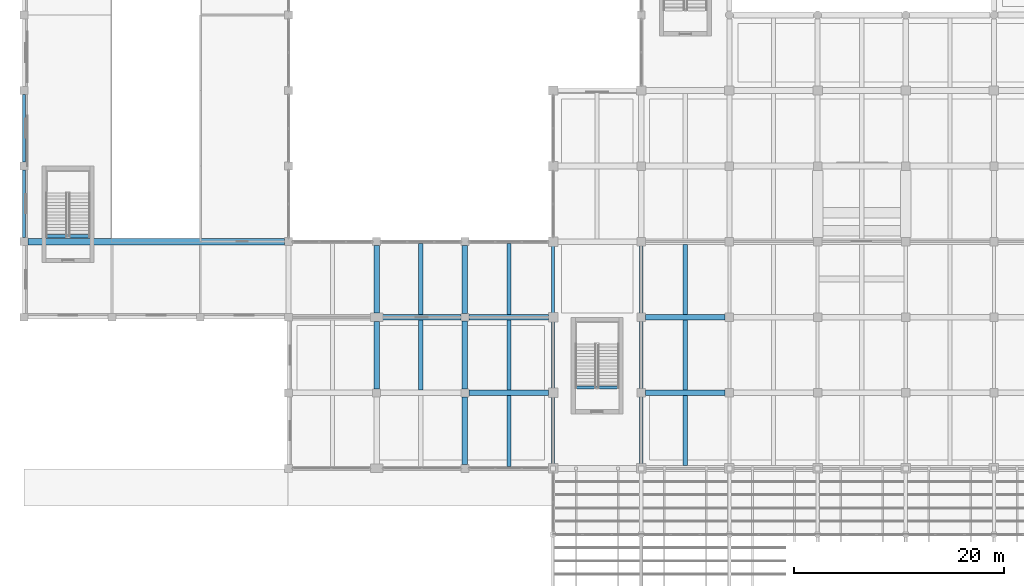
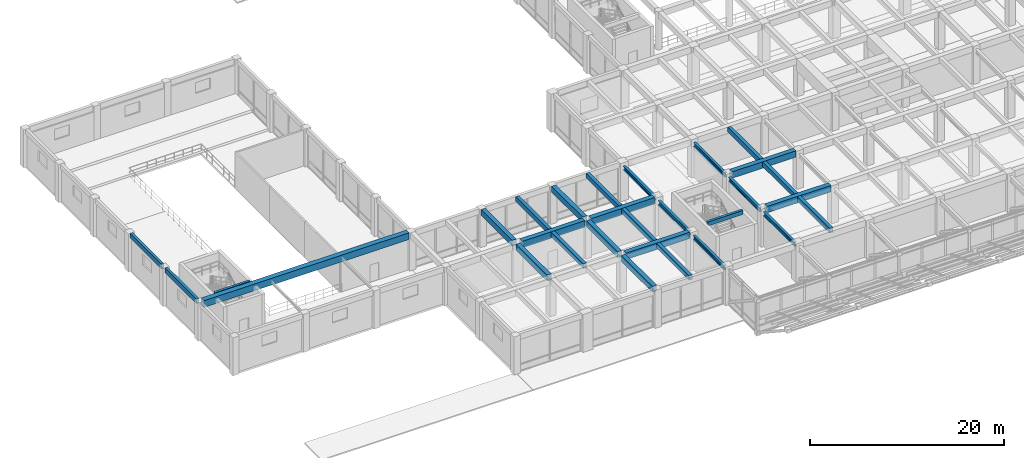
# One storey, part 6 of 52: 29 beams.
"""IFC4 building model written with IfcOpenShell, lengths in metres."""

from ifc_helpers import new_model, si_unit, direction, frame, origin, origin_2d, place, context, subcontext, project, spatial, rectangle, i_section, extrude, material, material_profile, profile_set, type_object, element, save


model = new_model("IFC4")

# Units and contexts
model_context = context("Model", 3, precision=1e-05, world=origin(), true_north=direction((0.0, 1.0)))
body_context = subcontext(model_context, "Body", "Model", "MODEL_VIEW")
ifc_project = project(units=[si_unit("LENGTHUNIT", "METRE"), si_unit("AREAUNIT", "SQUARE_METRE"), si_unit("VOLUMEUNIT", "CUBIC_METRE"), si_unit("PLANEANGLEUNIT", "RADIAN"), si_unit("MASSUNIT", "GRAM", prefix="KILO")], contexts=[model_context])

# Site, building, storey
site_placement = place(None, origin())
site = spatial("IfcSite", under=ifc_project, at=site_placement, CompositionType="ELEMENT")
building_placement = place(site_placement, origin())
building = spatial("IfcBuilding", under=site, at=building_placement, Name="Kenerak Square Central Library", CompositionType="ELEMENT")
storey_placement = place(building_placement, frame((0.0, 0.0, 4.800048828125)))
storey = spatial("IfcBuildingStorey", under=building, at=storey_placement, Name="L01", CompositionType="ELEMENT", Elevation=4.800048828125)

# Beams
ifc_material_1 = material(Name="Steel S355", Category="steel")
ifc_material_profile_1 = material_profile(ifc_material_1, i_section(OverallWidth=0.300048828125, OverallDepth=0.5, WebThickness=0.014404296875, FlangeThickness=0.028076171875, FilletRadius=0.027099609375, at=origin_2d()), Name="HEB 500")
ifc_profile_set_1 = profile_set([ifc_material_profile_1], Name="Steel S355")
beam_type_1 = type_object("IfcBeamType", Name="Backspan Steel Girder SB-03 HEB 500 S355", PredefinedType="BEAM", material=ifc_profile_set_1)
for number, where, z_axis, x_axis, name in (
    (1, (58.39990234375, 17.179931640625, 4.14990234375), (0.0, 1.0, 0.0), (-1.0, 0.0, 0.0), "Overhang Backspan Tie Girder 1 L01 001"),
    (2, (58.39990234375, 24.3798828125, 4.14990234375), (0.0, 1.0, 0.0), (-1.0, 0.0, 0.0), "Overhang Backspan Tie Girder 1 L01 002"),
):
    element("IfcBeam", number, at=place(storey_placement, frame(where, z_axis=z_axis, x_axis=x_axis)), inside=storey, type_object=beam_type_1, Name=name, PredefinedType="BEAM", context=body_context, shape_type="SweptSolid", body=[
        extrude(i_section(OverallWidth=0.300048828125, OverallDepth=0.5, WebThickness=0.014404296875, FlangeThickness=0.028076171875, FilletRadius=0.027099609375, at=origin_2d()), origin(), (0.0, 0.0, 1.0), 6.440185546875),
    ])
beam_1_placement = place(storey_placement, frame((58.39990234375, 31.580078125, 4.14990234375), z_axis=(0.0, 1.0, 0.0), x_axis=(-1.0, 0.0, 0.0)))
element("IfcBeam", 3, at=beam_1_placement, inside=storey, type_object=beam_type_1, Name="Overhang Backspan Tie Girder 1 L01 003", PredefinedType="BEAM", context=body_context, shape_type="SweptSolid", body=[
    extrude(i_section(OverallWidth=0.300048828125, OverallDepth=0.5, WebThickness=0.014404296875, FlangeThickness=0.028076171875, FilletRadius=0.027099609375, at=origin_2d()), origin(), (0.0, 0.0, 1.0), 6.43994140625),
])
for number, where, z_axis, x_axis, name in (
    (4, (66.800048828125, 17.179931640625, 4.14990234375), (0.0, 1.0, 0.0), (-1.0, 0.0, 0.0), "Overhang Backspan Tie Girder 2 L01 017"),
    (5, (66.800048828125, 24.3798828125, 4.14990234375), (0.0, 1.0, 0.0), (-1.0, 0.0, 0.0), "Overhang Backspan Tie Girder 2 L01 018"),
):
    element("IfcBeam", number, at=place(storey_placement, frame(where, z_axis=z_axis, x_axis=x_axis)), inside=storey, type_object=beam_type_1, Name=name, PredefinedType="BEAM", context=body_context, shape_type="SweptSolid", body=[
        extrude(i_section(OverallWidth=0.300048828125, OverallDepth=0.5, WebThickness=0.014404296875, FlangeThickness=0.028076171875, FilletRadius=0.027099609375, at=origin_2d()), origin(), (0.0, 0.0, 1.0), 6.440185546875),
    ])
beam_2_placement = place(storey_placement, frame((66.800048828125, 31.580078125, 4.14990234375), z_axis=(0.0, 1.0, 0.0), x_axis=(-1.0, 0.0, 0.0)))
element("IfcBeam", 6, at=beam_2_placement, inside=storey, type_object=beam_type_1, Name="Overhang Backspan Tie Girder 2 L01 019", PredefinedType="BEAM", context=body_context, shape_type="SweptSolid", body=[
    extrude(i_section(OverallWidth=0.300048828125, OverallDepth=0.5, WebThickness=0.014404296875, FlangeThickness=0.028076171875, FilletRadius=0.027099609375, at=origin_2d()), origin(), (0.0, 0.0, 1.0), 6.43994140625),
])
ifc_material_2 = material(Name="Concrete C40/50", Category="concrete")
ifc_material_profile_2 = material_profile(ifc_material_2, rectangle(XDim=0.300048828125, YDim=0.60009765625, at=origin_2d()), Name="RC 300x600")
ifc_profile_set_2 = profile_set([ifc_material_profile_2], Name="Concrete C40/50")
beam_type_2 = type_object("IfcBeamType", Name="Courtyard Spandrel Beam SP-02 RC 300x600 C40/50", PredefinedType="SPANDREL", material=ifc_profile_set_2)
beam_3_placement = place(storey_placement, frame((8.0, 38.77490234375, 4.5), z_axis=(0.0, 1.0, 0.0), x_axis=(-1.0, 0.0, 0.0)))
element("IfcBeam", 7, at=beam_3_placement, inside=storey, type_object=beam_type_2, Name="Beam SP-02 L01 0983", PredefinedType="SPANDREL", context=body_context, shape_type="SweptSolid", body=[
    extrude(rectangle(XDim=0.300048828125, YDim=0.60009765625, at=origin_2d()), origin(), (0.0, 0.0, 1.0), 6.4501953125),
])
beam_4_placement = place(storey_placement, frame((8.0, 45.97509765625, 4.5), z_axis=(0.0, 1.0, 0.0), x_axis=(-1.0, 0.0, 0.0)))
element("IfcBeam", 8, at=beam_4_placement, inside=storey, type_object=beam_type_2, Name="Beam SP-02 L01 0984", PredefinedType="SPANDREL", context=body_context, shape_type="SweptSolid", body=[
    extrude(rectangle(XDim=0.300048828125, YDim=0.60009765625, at=origin_2d()), origin(), (0.0, 0.0, 1.0), 6.449951171875),
])
ifc_material_profile_3 = material_profile(ifc_material_2, rectangle(XDim=0.300048828125, YDim=0.5, at=origin_2d()), Name="RC 300x500")
ifc_profile_set_3 = profile_set([ifc_material_profile_3], Name="Concrete C40/50")
beam_type_3 = type_object("IfcBeamType", Name="Landing Support Beam B-08 RC 300x500 C40/50", PredefinedType="BEAM", material=ifc_profile_set_3)
for number, where, z_axis, x_axis, name in (
    (9, (60.52001953125, 24.510009765625, 4.550048828125), (1.0, 0.0, 0.0), (0.0, 1.0, 0.0), "Stair Threshold Beam B-08 ST-04 L02"),
    (10, (10.1201171875, 38.909912109375, 4.550048828125), (1.0, 0.0, 0.0), (0.0, 1.0, 0.0), "Stair Threshold Beam B-08 ST-06 L02"),
):
    element("IfcBeam", number, at=place(storey_placement, frame(where, z_axis=z_axis, x_axis=x_axis)), inside=storey, type_object=beam_type_3, Name=name, PredefinedType="BEAM", context=body_context, shape_type="SweptSolid", body=[
        extrude(rectangle(XDim=0.300048828125, YDim=0.5, at=origin_2d()), origin(), (0.0, 0.0, 1.0), 4.159912109375),
    ])
ifc_material_profile_4 = material_profile(ifc_material_2, rectangle(XDim=0.60009765625, YDim=0.85009765625, at=origin_2d()), Name="RC 600x850")
ifc_profile_set_4 = profile_set([ifc_material_profile_4], Name="Concrete C40/50")
beam_type_4 = type_object("IfcBeamType", Name="Primary Hall Girder B-03 RC 600x850 C40/50", PredefinedType="BEAM", material=ifc_profile_set_4)
beam_5_placement = place(storey_placement, frame((8.3798828125, 38.39990234375, 4.375), z_axis=(1.0, 0.0, 0.0), x_axis=(0.0, 1.0, 0.0)))
element("IfcBeam", 11, at=beam_5_placement, inside=storey, type_object=beam_type_4, Name="Auditorium Foyer Edge Girder B-03 L01", PredefinedType="BEAM", context=body_context, shape_type="SweptSolid", body=[
    extrude(rectangle(XDim=0.60009765625, YDim=0.85009765625, at=origin_2d()), origin(), (0.0, 0.0, 1.0), 24.440185546875),
])
ifc_material_profile_5 = material_profile(ifc_material_2, rectangle(XDim=0.550048828125, YDim=0.800048828125, at=origin_2d()), Name="RC 550x800")
ifc_profile_set_5 = profile_set([ifc_material_profile_5], Name="Concrete C40/50")
beam_type_5 = type_object("IfcBeamType", Name="Primary Reading Beam B-04 RC 550x800 C40/50", PredefinedType="BEAM", material=ifc_profile_set_5)
beam_6_placement = place(storey_placement, frame((50.375, 24.0, 4.39990234375), z_axis=(1.0, 0.0, 0.0), x_axis=(0.0, 1.0, 0.0)))
element("IfcBeam", 12, at=beam_6_placement, inside=storey, type_object=beam_type_5, Name="Beam B-04 L01 0873", PredefinedType="BEAM", context=body_context, shape_type="SweptSolid", body=[
    extrude(rectangle(XDim=0.550048828125, YDim=0.800048828125, at=origin_2d()), origin(), (0.0, 0.0, 1.0), 7.574951171875),
])
beam_7_placement = place(storey_placement, frame((67.199951171875, 24.0, 4.39990234375), z_axis=(1.0, 0.0, 0.0), x_axis=(0.0, 1.0, 0.0)))
element("IfcBeam", 13, at=beam_7_placement, inside=storey, type_object=beam_type_5, Name="Beam B-04 L01 0874", PredefinedType="BEAM", context=body_context, shape_type="SweptSolid", body=[
    extrude(rectangle(XDim=0.550048828125, YDim=0.800048828125, at=origin_2d()), origin(), (0.0, 0.0, 1.0), 7.60009765625),
])
beam_8_placement = place(storey_placement, frame((42.14990234375, 31.199951171875, 4.39990234375), z_axis=(1.0, 0.0, 0.0), x_axis=(0.0, 1.0, 0.0)))
element("IfcBeam", 14, at=beam_8_placement, inside=storey, type_object=beam_type_5, Name="Beam B-04 L01 0886", PredefinedType="BEAM", context=body_context, shape_type="SweptSolid", body=[
    extrude(rectangle(XDim=0.550048828125, YDim=0.800048828125, at=origin_2d()), origin(), (0.0, 0.0, 1.0), 7.47509765625),
])
beam_9_placement = place(storey_placement, frame((50.375, 31.199951171875, 4.39990234375), z_axis=(1.0, 0.0, 0.0), x_axis=(0.0, 1.0, 0.0)))
element("IfcBeam", 15, at=beam_9_placement, inside=storey, type_object=beam_type_5, Name="Beam B-04 L01 0887", PredefinedType="BEAM", context=body_context, shape_type="SweptSolid", body=[
    extrude(rectangle(XDim=0.550048828125, YDim=0.800048828125, at=origin_2d()), origin(), (0.0, 0.0, 1.0), 7.574951171875),
])
beam_10_placement = place(storey_placement, frame((67.199951171875, 31.199951171875, 4.39990234375), z_axis=(1.0, 0.0, 0.0), x_axis=(0.0, 1.0, 0.0)))
element("IfcBeam", 16, at=beam_10_placement, inside=storey, type_object=beam_type_5, Name="Beam B-04 L01 0888", PredefinedType="BEAM", context=body_context, shape_type="SweptSolid", body=[
    extrude(rectangle(XDim=0.550048828125, YDim=0.800048828125, at=origin_2d()), origin(), (0.0, 0.0, 1.0), 7.60009765625),
])
ifc_material_profile_6 = material_profile(ifc_material_2, rectangle(XDim=0.39990234375, YDim=0.60009765625, at=origin_2d()), Name="RC 400x600")
ifc_profile_set_6 = profile_set([ifc_material_profile_6], Name="Concrete C40/50")
beam_type_6 = type_object("IfcBeamType", Name="Secondary Floor Joist J-01 RC 400x600 C40/50", PredefinedType="JOIST", material=ifc_profile_set_6)
beam_11_placement = place(storey_placement, frame((45.800048828125, 24.27490234375, 4.5), z_axis=(0.0, 1.0, 0.0), x_axis=(-1.0, 0.0, 0.0)))
element("IfcBeam", 17, at=beam_11_placement, inside=storey, type_object=beam_type_6, Name="Joist J-01 L01 1101", PredefinedType="JOIST", context=body_context, shape_type="SweptSolid", body=[
    extrude(rectangle(XDim=0.39990234375, YDim=0.60009765625, at=origin_2d()), origin(), (0.0, 0.0, 1.0), 6.650146484375),
])
for number, where, z_axis, x_axis, name in (
    (18, (45.800048828125, 31.47509765625, 4.5), (0.0, 1.0, 0.0), (-1.0, 0.0, 0.0), "Joist J-01 L01 1102"),
    (19, (54.199951171875, 16.97509765625, 4.5), (0.0, 1.0, 0.0), (-1.0, 0.0, 0.0), "Joist J-01 L01 1103"),
):
    element("IfcBeam", number, at=place(storey_placement, frame(where, z_axis=z_axis, x_axis=x_axis)), inside=storey, type_object=beam_type_6, Name=name, PredefinedType="JOIST", context=body_context, shape_type="SweptSolid", body=[
        extrude(rectangle(XDim=0.39990234375, YDim=0.60009765625, at=origin_2d()), origin(), (0.0, 0.0, 1.0), 6.75),
    ])
beam_12_placement = place(storey_placement, frame((54.199951171875, 24.27490234375, 4.5), z_axis=(0.0, 1.0, 0.0), x_axis=(-1.0, 0.0, 0.0)))
element("IfcBeam", 20, at=beam_12_placement, inside=storey, type_object=beam_type_6, Name="Joist J-01 L01 1104", PredefinedType="JOIST", context=body_context, shape_type="SweptSolid", body=[
    extrude(rectangle(XDim=0.39990234375, YDim=0.60009765625, at=origin_2d()), origin(), (0.0, 0.0, 1.0), 6.650146484375),
])
beam_13_placement = place(storey_placement, frame((54.199951171875, 31.47509765625, 4.5), z_axis=(0.0, 1.0, 0.0), x_axis=(-1.0, 0.0, 0.0)))
element("IfcBeam", 21, at=beam_13_placement, inside=storey, type_object=beam_type_6, Name="Joist J-01 L01 1105", PredefinedType="JOIST", context=body_context, shape_type="SweptSolid", body=[
    extrude(rectangle(XDim=0.39990234375, YDim=0.60009765625, at=origin_2d()), origin(), (0.0, 0.0, 1.0), 6.75),
])
for number, where, z_axis, x_axis, name in (
    (22, (71.0, 17.074951171875, 4.5), (0.0, 1.0, 0.0), (-1.0, 0.0, 0.0), "Joist J-01 L01 1112"),
    (23, (71.0, 24.27490234375, 4.5), (0.0, 1.0, 0.0), (-1.0, 0.0, 0.0), "Joist J-01 L01 1113"),
):
    element("IfcBeam", number, at=place(storey_placement, frame(where, z_axis=z_axis, x_axis=x_axis)), inside=storey, type_object=beam_type_6, Name=name, PredefinedType="JOIST", context=body_context, shape_type="SweptSolid", body=[
        extrude(rectangle(XDim=0.39990234375, YDim=0.60009765625, at=origin_2d()), origin(), (0.0, 0.0, 1.0), 6.650146484375),
    ])
beam_14_placement = place(storey_placement, frame((71.0, 31.47509765625, 4.5), z_axis=(0.0, 1.0, 0.0), x_axis=(-1.0, 0.0, 0.0)))
element("IfcBeam", 24, at=beam_14_placement, inside=storey, type_object=beam_type_6, Name="Joist J-01 L01 1114", PredefinedType="JOIST", context=body_context, shape_type="SweptSolid", body=[
    extrude(rectangle(XDim=0.39990234375, YDim=0.60009765625, at=origin_2d()), origin(), (0.0, 0.0, 1.0), 6.64990234375),
])
ifc_material_profile_7 = material_profile(ifc_material_2, rectangle(XDim=0.5, YDim=0.75, at=origin_2d()), Name="RC 500x750")
ifc_profile_set_7 = profile_set([ifc_material_profile_7], Name="Concrete C40/50")
beam_type_7 = type_object("IfcBeamType", Name="Transverse Frame Beam B-05 RC 500x750 C40/50", PredefinedType="BEAM", material=ifc_profile_set_7)
beam_15_placement = place(storey_placement, frame((41.60009765625, 24.375, 4.425048828125), z_axis=(0.0, 1.0, 0.0), x_axis=(-1.0, 0.0, 0.0)))
element("IfcBeam", 25, at=beam_15_placement, inside=storey, type_object=beam_type_7, Name="Beam B-05 L01 0997", PredefinedType="BEAM", context=body_context, shape_type="SweptSolid", body=[
    extrude(rectangle(XDim=0.5, YDim=0.75, at=origin_2d()), origin(), (0.0, 0.0, 1.0), 6.425048828125),
])
beam_16_placement = place(storey_placement, frame((41.60009765625, 31.60009765625, 4.425048828125), z_axis=(0.0, 1.0, 0.0), x_axis=(-1.0, 0.0, 0.0)))
element("IfcBeam", 26, at=beam_16_placement, inside=storey, type_object=beam_type_7, Name="Beam B-05 L01 0998", PredefinedType="BEAM", context=body_context, shape_type="SweptSolid", body=[
    extrude(rectangle(XDim=0.5, YDim=0.75, at=origin_2d()), origin(), (0.0, 0.0, 1.0), 6.4248046875),
])
for number, where, z_axis, x_axis, name in (
    (27, (50.0, 17.175048828125, 4.425048828125), (0.0, 1.0, 0.0), (-1.0, 0.0, 0.0), "Beam B-05 L01 0999"),
    (28, (50.0, 24.375, 4.425048828125), (0.0, 1.0, 0.0), (-1.0, 0.0, 0.0), "Beam B-05 L01 1000"),
    (29, (50.0, 31.574951171875, 4.425048828125), (0.0, 1.0, 0.0), (-1.0, 0.0, 0.0), "Beam B-05 L01 1001"),
):
    element("IfcBeam", number, at=place(storey_placement, frame(where, z_axis=z_axis, x_axis=x_axis)), inside=storey, type_object=beam_type_7, Name=name, PredefinedType="BEAM", context=body_context, shape_type="SweptSolid", body=[
        extrude(rectangle(XDim=0.5, YDim=0.75, at=origin_2d()), origin(), (0.0, 0.0, 1.0), 6.449951171875),
    ])

save(model, "model.ifc")
